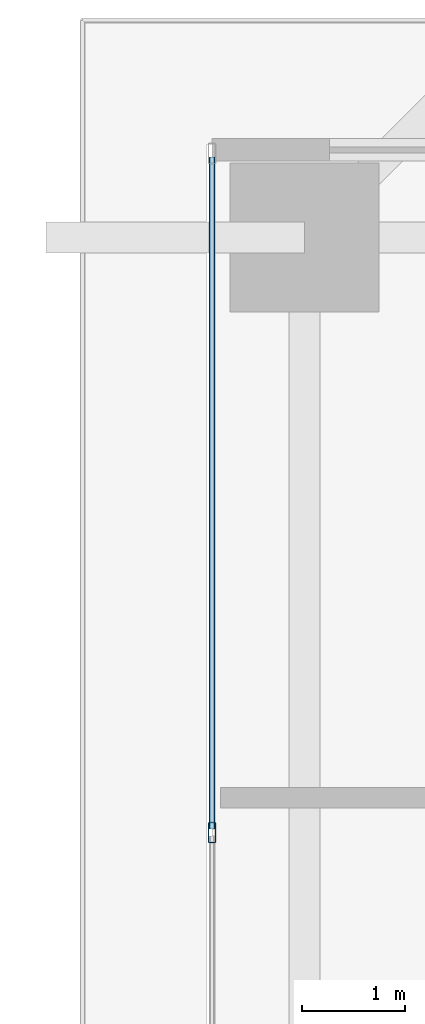
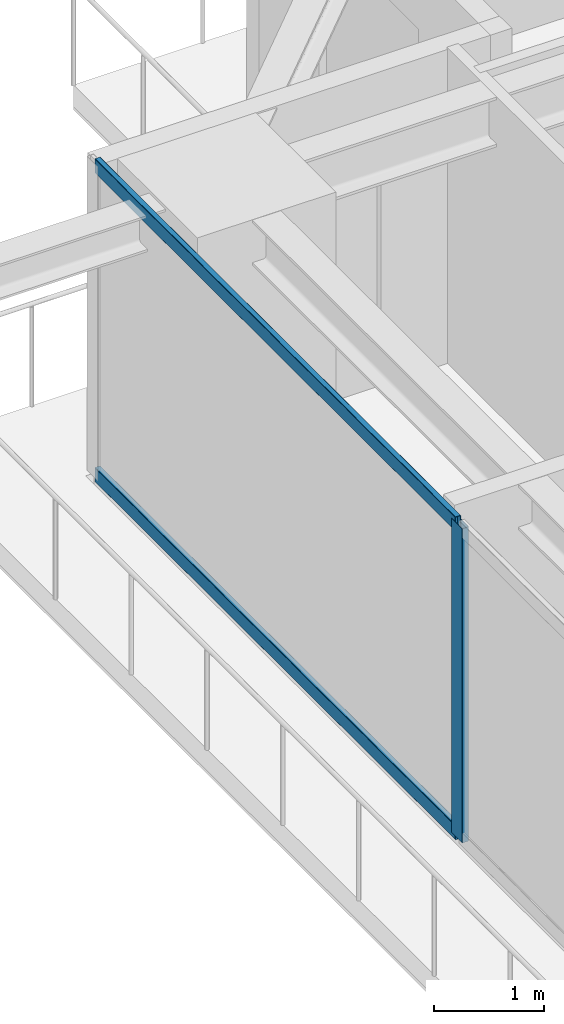
# One storey, part 16 of 38: 3 members, 1 element without a shape of its own.
"""IFC4 building model written with IfcOpenShell, lengths in metres."""

from ifc_helpers import new_model, si_unit, direction, frame, origin, origin_2d, place, context, subcontext, project, spatial, hollow_rectangle, extrude, source, transform, mapped, material, layer, layer_set, material_profile, profile_set, type_object, element, aggregate, save


model = new_model("IFC4")

# Units and contexts
model_context = context("Model", 3, precision=1e-05, world=origin(), true_north=direction((0.0, 1.0)))
body_context = subcontext(model_context, "Body", "Model", "MODEL_VIEW")
ifc_project = project(units=[si_unit("LENGTHUNIT", "METRE"), si_unit("AREAUNIT", "SQUARE_METRE"), si_unit("VOLUMEUNIT", "CUBIC_METRE"), si_unit("PLANEANGLEUNIT", "RADIAN"), si_unit("MASSUNIT", "GRAM", prefix="KILO")], contexts=[model_context])

# Site, building, storey
site_placement = place(None, origin())
site = spatial("IfcSite", under=ifc_project, at=site_placement, CompositionType="ELEMENT")
building_placement = place(site_placement, origin())
building = spatial("IfcBuilding", under=site, at=building_placement, Name="Serunith Strait Residences", CompositionType="ELEMENT")
storey_placement = place(building_placement, frame((0.0, 0.0, 82.949951171875)))
storey = spatial("IfcBuildingStorey", under=building, at=storey_placement, Name="L20", CompositionType="ELEMENT", Elevation=82.949951171875)

# Curtain wall, members
ifc_material = material(Name="Pale-Champagne Anodised Aluminium", Category="aluminium")
ifc_layer = layer(ifc_material, 0.199951171875, Name="Pale-Champagne Anodised Aluminium")
ifc_layer_set = layer_set([ifc_layer], Name="Pale-Champagne Anodised Aluminium")
curtain_wall_type = type_object("IfcCurtainWallType", Name="CW-SYS1", PredefinedType="NOTDEFINED", material=ifc_layer_set)
curtain_wall_placement = place(storey_placement, origin())
curtain_wall = element("IfcCurtainWall", 1, at=curtain_wall_placement, inside=storey, type_object=curtain_wall_type, Name="L20 W Unitised Fritted Curtain Wall", PredefinedType="NOTDEFINED")
ifc_material_profile_1 = material_profile(ifc_material, hollow_rectangle(XDim=0.070068359375, YDim=0.199951171875, WallThickness=0.00390625, InnerFilletRadius=0.006103515625, OuterFilletRadius=0.010009765625, at=origin_2d()), Name="ALU 200x70x4")
ifc_profile_set_1 = profile_set([ifc_material_profile_1], Name="Pale-Champagne Anodised Aluminium")
member_type_1 = type_object("IfcMemberType", Name="CW-SYS1-MULL", PredefinedType="MULLION", material=ifc_profile_set_1)
shared_shape_1 = source(origin(), body_context, "Body", "SweptSolid", [
    extrude(hollow_rectangle(XDim=0.070068359375, YDim=0.199951171875, WallThickness=0.00390625, InnerFilletRadius=0.006103515625, OuterFilletRadius=0.010009765625, at=origin_2d()), origin(), (0.0, 0.0, 1.0), 3.47509765625),
])
member_1_placement = place(storey_placement, frame((6.0, 35.159912109375, 0.0), z_axis=(0.0, 0.0, 1.0), x_axis=(1.0, 0.0, 0.0)))
member_1 = element("IfcMember", 2, at=member_1_placement, type_object=member_type_1, Name="CW-1 mullion 2", PredefinedType="MULLION", context=body_context, shape_type="MappedRepresentation", body=[
    mapped(shared_shape_1, transform((0.0, 0.0, 0.0), scale=1.0)),
])
ifc_material_profile_2 = material_profile(ifc_material, hollow_rectangle(XDim=0.06005859375, YDim=0.159912109375, WallThickness=0.00341796875, InnerFilletRadius=0.00537109375, OuterFilletRadius=0.0087890625, at=origin_2d()), Name="ALU 160x60x3.5")
ifc_profile_set_2 = profile_set([ifc_material_profile_2], Name="Pale-Champagne Anodised Aluminium")
member_type_2 = type_object("IfcMemberType", Name="CW-SYS1-TRAN", PredefinedType="USERDEFINED", material=ifc_profile_set_2)
shared_shape_2 = source(origin(), body_context, "Body", "SweptSolid", [
    extrude(hollow_rectangle(XDim=0.06005859375, YDim=0.159912109375, WallThickness=0.00341796875, InnerFilletRadius=0.00537109375, OuterFilletRadius=0.0087890625, at=origin_2d()), origin(), (0.0, 0.0, 1.0), 6.534912109375),
])
member_2_placement = place(storey_placement, frame((6.0, 41.72998046875, 0.030029296875), z_axis=(0.0, -1.0, 0.0), x_axis=(1.0, 0.0, 0.0)))
member_2 = element("IfcMember", 3, at=member_2_placement, type_object=member_type_2, Name="CW-1 transom 1.1", ObjectType="TRANSOM", PredefinedType="USERDEFINED", context=body_context, shape_type="MappedRepresentation", body=[
    mapped(shared_shape_2, transform((0.0, 0.0, 0.0), scale=1.0)),
])
member_3_placement = place(storey_placement, frame((6.0, 41.72998046875, 3.445068359375), z_axis=(0.0, -1.0, 0.0), x_axis=(1.0, 0.0, 0.0)))
member_3 = element("IfcMember", 4, at=member_3_placement, type_object=member_type_2, Name="CW-1 transom 1.2", ObjectType="TRANSOM", PredefinedType="USERDEFINED", context=body_context, shape_type="MappedRepresentation", body=[
    mapped(shared_shape_2, transform((0.0, 0.0, 0.0), scale=1.0)),
])
aggregate(curtain_wall, [member_1, member_2, member_3])

save(model, "model.ifc")
